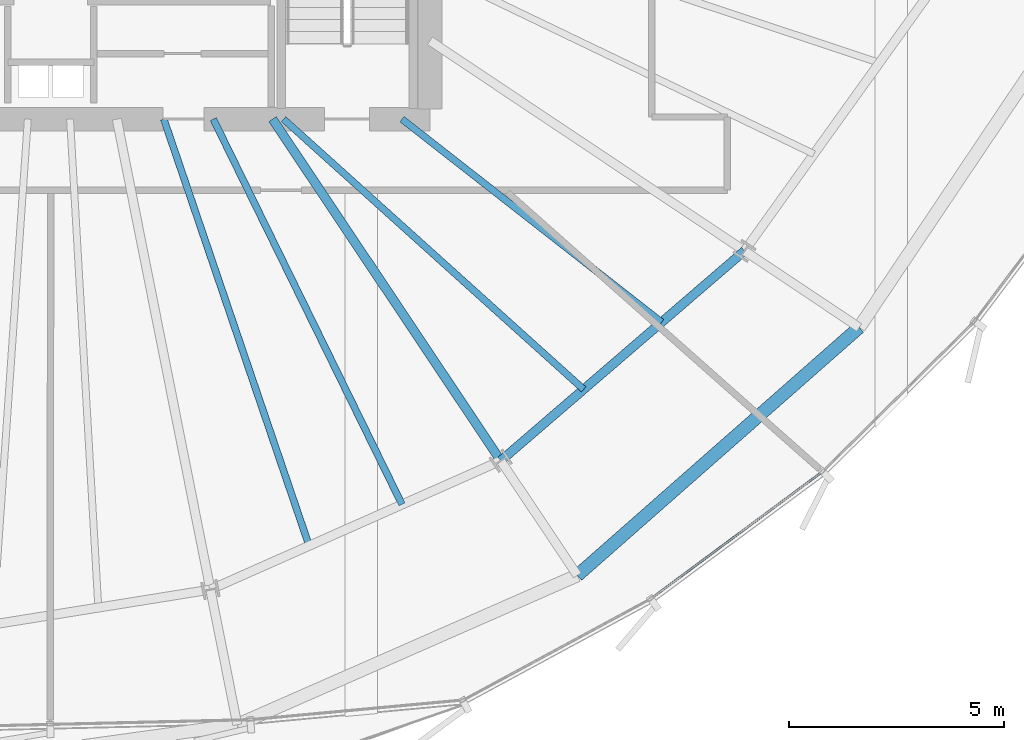
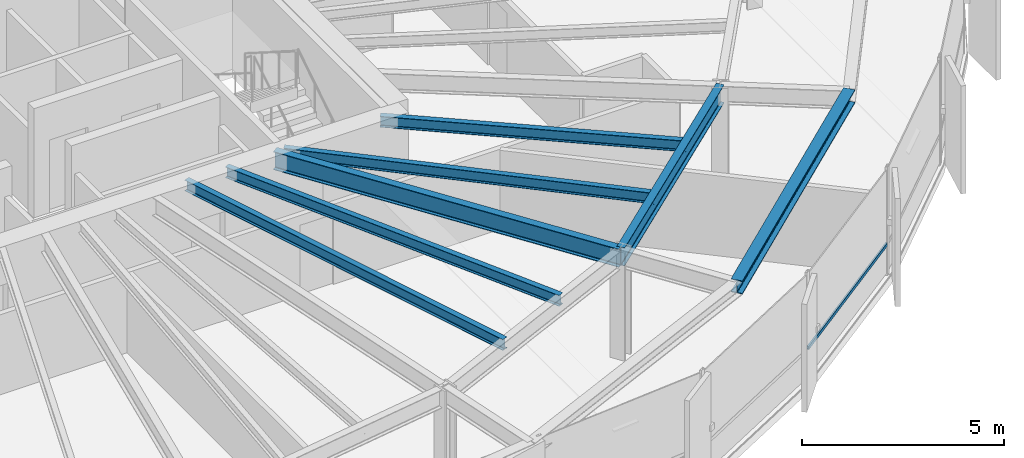
# One storey, part 13 of 37: 7 beams, 1 member, 1 element without a shape of its own.
"""IFC4 building model written with IfcOpenShell, lengths in metres."""

from ifc_helpers import new_model, si_unit, direction, frame, origin, origin_2d, place, context, subcontext, project, spatial, hollow_rectangle, i_section, extrude, source, transform, mapped, material, layer, layer_set, material_profile, profile_set, type_object, element, aggregate, save


model = new_model("IFC4")

# Units and contexts
model_context = context("Model", 3, precision=1e-05, world=origin(), true_north=direction((0.0, 1.0)))
body_context = subcontext(model_context, "Body", "Model", "MODEL_VIEW")
ifc_project = project(units=[si_unit("LENGTHUNIT", "METRE"), si_unit("AREAUNIT", "SQUARE_METRE"), si_unit("VOLUMEUNIT", "CUBIC_METRE"), si_unit("PLANEANGLEUNIT", "RADIAN"), si_unit("MASSUNIT", "GRAM", prefix="KILO"), si_unit("THERMODYNAMICTEMPERATUREUNIT", "KELVIN")], contexts=[model_context])

# Site, building, storey
site_placement = place(None, origin())
site = spatial("IfcSite", under=ifc_project, at=site_placement, CompositionType="ELEMENT")
building_placement = place(site_placement, origin())
building = spatial("IfcBuilding", under=site, at=building_placement, Name="Kethvar Cultural Tower", CompositionType="ELEMENT")
storey_placement = place(building_placement, frame((0.0, 0.0, 132.35009765625)))
storey = spatial("IfcBuildingStorey", under=building, at=storey_placement, Name="L33", CompositionType="ELEMENT", Elevation=132.35009765625)

# Beams
ifc_material_1 = material(Name="Steel S355J2", Category="steel")
ifc_material_profile_1 = material_profile(ifc_material_1, i_section(OverallWidth=0.2099609375, OverallDepth=0.550048828125, WebThickness=0.010986328125, FlangeThickness=0.01708984375, FilletRadius=0.02392578125, at=origin_2d()), Name="Steel S355J2 — IPE550")
ifc_profile_set_1 = profile_set([ifc_material_profile_1], Name="Steel S355J2 — IPE550")
beam_type_1 = type_object("IfcBeamType", Name="BM-IPE550", PredefinedType="BEAM", material=ifc_profile_set_1)
shared_shape_1 = source(origin(), body_context, "Body", "SweptSolid", [
    extrude(i_section(OverallWidth=0.2099609375, OverallDepth=0.550048828125, WebThickness=0.010986328125, FlangeThickness=0.01708984375, FilletRadius=0.02392578125, at=origin_2d()), origin(), (0.0, 0.0, 1.0), 9.534423828125),
])
beam_1_placement = place(storey_placement, frame((51.945068359375, 20.10009765625, 3.02294921875), z_axis=(0.555550817894, -0.831482584747, 0.0), x_axis=(0.831482584747, 0.555550817894, 0.0)))
element("IfcBeam", 1, at=beam_1_placement, inside=storey, type_object=beam_type_1, Name="L33 Primary Radial Beam RB-14", PredefinedType="BEAM", context=body_context, shape_type="MappedRepresentation", body=[
    mapped(shared_shape_1, transform((0.0, 0.0, 0.0), scale=1.0)),
])
ifc_material_profile_2 = material_profile(ifc_material_1, i_section(OverallWidth=0.159912109375, OverallDepth=0.330078125, WebThickness=0.007568359375, FlangeThickness=0.011474609375, FilletRadius=0.01806640625, at=origin_2d()), Name="Steel S355J2 — IPE330")
ifc_profile_set_2 = profile_set([ifc_material_profile_2], Name="Steel S355J2 — IPE330")
beam_type_2 = type_object("IfcBeamType", Name="BM-J330", PredefinedType="JOIST", material=ifc_profile_set_2)
shared_shape_2 = source(origin(), body_context, "Body", "SweptSolid", [
    extrude(i_section(OverallWidth=0.159912109375, OverallDepth=0.330078125, WebThickness=0.007568359375, FlangeThickness=0.011474609375, FilletRadius=0.01806640625, at=origin_2d()), origin(), (0.0, 0.0, 1.0), 10.45947265625),
])
beam_2_placement = place(storey_placement, frame((49.42236328125, 20.10009765625, 3.1328125), z_axis=(0.322390188368, -0.94660687006, 0.0), x_axis=(0.94660687006, 0.322390188368, 0.0)))
element("IfcBeam", 2, at=beam_2_placement, inside=storey, type_object=beam_type_2, Name="L33 Composite Floor Joist J-13A", PredefinedType="JOIST", context=body_context, shape_type="MappedRepresentation", body=[
    mapped(shared_shape_2, transform((0.0, 0.0, 0.0), scale=1.0)),
])
shared_shape_3 = source(origin(), body_context, "Body", "SweptSolid", [
    extrude(i_section(OverallWidth=0.159912109375, OverallDepth=0.330078125, WebThickness=0.007568359375, FlangeThickness=0.011474609375, FilletRadius=0.01806640625, at=origin_2d()), origin(), (0.0, 0.0, 1.0), 9.959228515625),
])
beam_3_placement = place(storey_placement, frame((50.57080078125, 20.10009765625, 3.1328125), z_axis=(0.439785134514, -0.898103020516, 0.0), x_axis=(0.898103020516, 0.439785134514, 0.0)))
element("IfcBeam", 3, at=beam_3_placement, inside=storey, type_object=beam_type_2, Name="L33 Composite Floor Joist J-13B", PredefinedType="JOIST", context=body_context, shape_type="MappedRepresentation", body=[
    mapped(shared_shape_3, transform((0.0, 0.0, 0.0), scale=1.0)),
])
shared_shape_4 = source(origin(), body_context, "Body", "SweptSolid", [
    extrude(i_section(OverallWidth=0.2099609375, OverallDepth=0.550048828125, WebThickness=0.010986328125, FlangeThickness=0.01708984375, FilletRadius=0.02392578125, at=origin_2d()), origin(), (0.0, 0.0, 1.0), 7.46484375),
])
beam_4_placement = place(storey_placement, frame((57.241943359375, 12.17236328125, 3.02294921875), z_axis=(0.757784075291, 0.652505398625, 0.0), x_axis=(-0.652505398625, 0.757784075291, 0.0)))
element("IfcBeam", 4, at=beam_4_placement, inside=storey, type_object=beam_type_1, Name="L33 Column Ring Tie Beam CR-14", PredefinedType="BEAM", context=body_context, shape_type="MappedRepresentation", body=[
    mapped(shared_shape_4, transform((0.0, 0.0, 0.0), scale=1.0)),
])
ifc_material_profile_3 = material_profile(ifc_material_1, i_section(OverallWidth=0.300048828125, OverallDepth=0.39990234375, WebThickness=0.013427734375, FlangeThickness=0.02392578125, FilletRadius=0.027099609375, at=origin_2d()), Name="Steel S355J2 — HEB400")
ifc_profile_set_3 = profile_set([ifc_material_profile_3], Name="Steel S355J2 — HEB400")
beam_type_3 = type_object("IfcBeamType", Name="BM-SP400", PredefinedType="SPANDREL", material=ifc_profile_set_3)
shared_shape_5 = source(origin(), body_context, "Body", "SweptSolid", [
    extrude(i_section(OverallWidth=0.300048828125, OverallDepth=0.39990234375, WebThickness=0.013427734375, FlangeThickness=0.02392578125, FilletRadius=0.027099609375, at=origin_2d()), origin(), (0.0, 0.0, 1.0), 8.71044921875),
])
beam_5_placement = place(storey_placement, frame((59.019775390625, 9.51171875, 3.097900390625), z_axis=(0.75077856833, 0.660553965498, 0.0), x_axis=(-0.660553965498, 0.75077856833, 0.0)))
element("IfcBeam", 5, at=beam_5_placement, inside=storey, type_object=beam_type_3, Name="L33 Perimeter Spandrel Beam SP-14", PredefinedType="SPANDREL", context=body_context, shape_type="MappedRepresentation", body=[
    mapped(shared_shape_5, transform((0.0, 0.0, 0.0), scale=1.0)),
])
shared_shape_6 = source(origin(), body_context, "Body", "SweptSolid", [
    extrude(i_section(OverallWidth=0.159912109375, OverallDepth=0.330078125, WebThickness=0.007568359375, FlangeThickness=0.011474609375, FilletRadius=0.01806640625, at=origin_2d()), origin(), (0.0, 0.0, 1.0), 9.372802734375),
])
beam_6_placement = place(storey_placement, frame((52.199951171875, 20.10009765625, 3.1328125), z_axis=(0.743151656479, -0.669123019685, 0.0), x_axis=(0.669123019685, 0.743151656479, 0.0)))
element("IfcBeam", 6, at=beam_6_placement, inside=storey, type_object=beam_type_2, Name="L33 Composite Floor Joist J-14A", PredefinedType="JOIST", context=body_context, shape_type="MappedRepresentation", body=[
    mapped(shared_shape_6, transform((0.0, 0.0, 0.0), scale=1.0)),
])
shared_shape_7 = source(origin(), body_context, "Body", "SweptSolid", [
    extrude(i_section(OverallWidth=0.159912109375, OverallDepth=0.330078125, WebThickness=0.007568359375, FlangeThickness=0.011474609375, FilletRadius=0.01806640625, at=origin_2d()), origin(), (0.0, 0.0, 1.0), 7.649658203125),
])
beam_7_placement = place(storey_placement, frame((54.949951171875, 20.10009765625, 3.1328125), z_axis=(0.787671994752, -0.616094821179, 0.0), x_axis=(0.616094821179, 0.787671994752, 0.0)))
element("IfcBeam", 7, at=beam_7_placement, inside=storey, type_object=beam_type_2, Name="L33 Composite Floor Joist J-14B", PredefinedType="JOIST", context=body_context, shape_type="MappedRepresentation", body=[
    mapped(shared_shape_7, transform((0.0, 0.0, 0.0), scale=1.0)),
])

# Curtain wall, member
ifc_material_2 = material(Name="Aluminium 6063-T6", Category="aluminium")
ifc_layer = layer(ifc_material_2, 0.179931640625, Name="Aluminium 6063-T6", Category="aluminium")
ifc_layer_set = layer_set([ifc_layer], Name="Aluminium 6063-T6 (180 mm)")
curtain_wall_type = type_object("IfcCurtainWallType", Name="CW-SYS-04-Z34", PredefinedType="NOTDEFINED", material=ifc_layer_set)
curtain_wall_placement = place(storey_placement, origin())
curtain_wall = element("IfcCurtainWall", 8, at=curtain_wall_placement, inside=storey, type_object=curtain_wall_type, Name="L33 Curtain Wall Run 05", PredefinedType="NOTDEFINED")
ifc_material_profile_4 = material_profile(ifc_material_2, hollow_rectangle(XDim=0.050048828125, YDim=0.10009765625, WallThickness=0.00390625, at=origin_2d()), Name="Aluminium 6063-T6 — RHS100x50x4")
ifc_profile_set_4 = profile_set([ifc_material_profile_4], Name="Aluminium 6063-T6 — RHS100x50x4")
member_type = type_object("IfcMemberType", Name="CW-SYS-04-Z34-TRN", PredefinedType="USERDEFINED", material=ifc_profile_set_4)
shared_shape_8 = source(origin(), body_context, "Body", "SweptSolid", [
    extrude(hollow_rectangle(XDim=0.050048828125, YDim=0.10009765625, WallThickness=0.00390625, at=origin_2d()), origin(), (0.0, 0.0, 1.0), 4.890380859375),
])
member_placement = place(storey_placement, frame((60.757080078125, 8.993408203125, 0.949951171875), z_axis=(0.803621748935, 0.595140390697, 0.0), x_axis=(-0.595140390697, 0.803621748935, 0.0)))
member = element("IfcMember", 9, at=member_placement, type_object=member_type, Name="CW-L33-R05 Transom 5", ObjectType="TRANSOM", PredefinedType="USERDEFINED", context=body_context, shape_type="MappedRepresentation", body=[
    mapped(shared_shape_8, transform((0.0, 0.0, 0.0), scale=1.0)),
])
aggregate(curtain_wall, [member])

save(model, "model.ifc")
